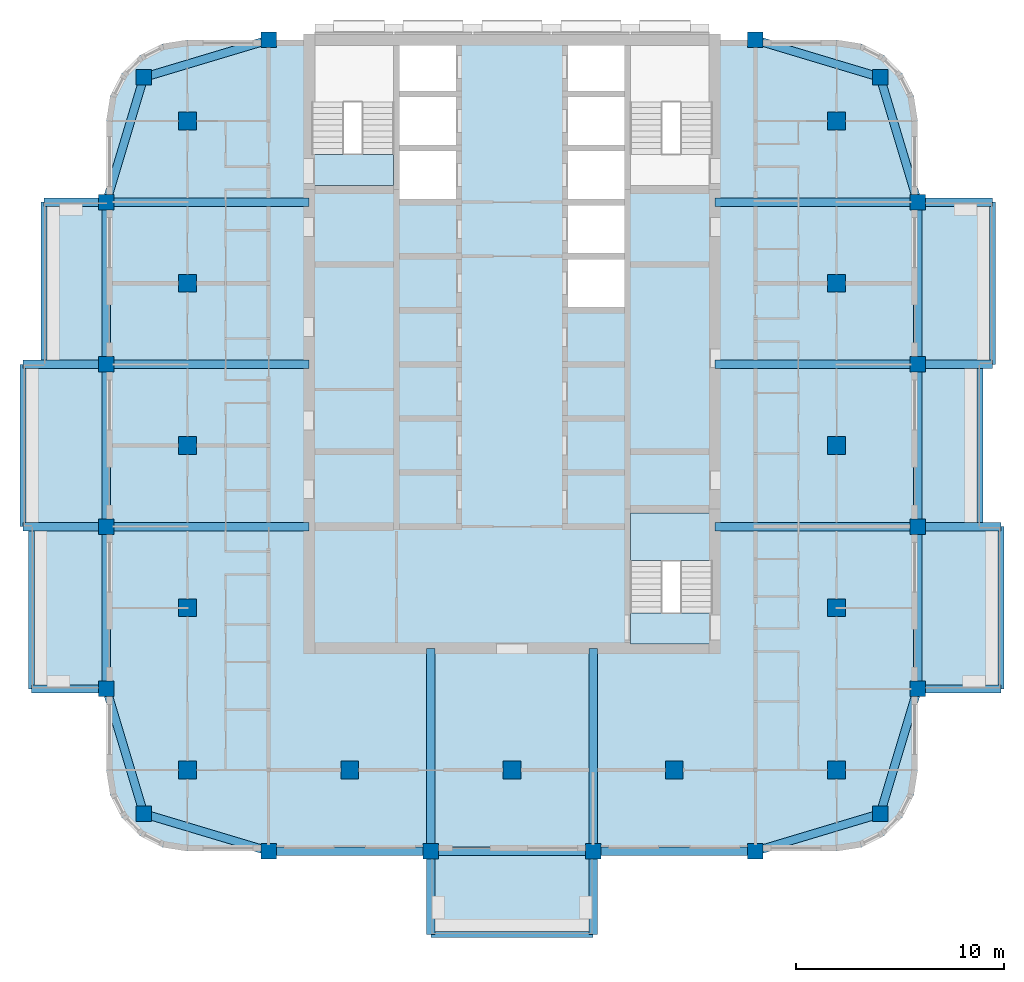
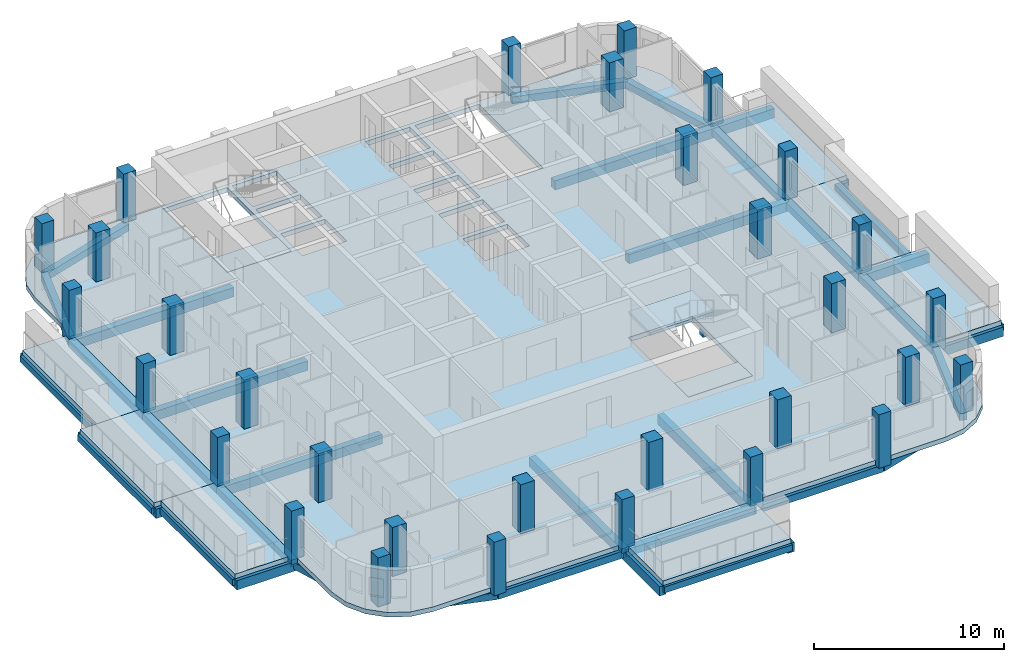
# One storey, part 1 of 13: 42 beams, 31 columns, 11 slabs, 2 elements without a shape of their own.
"""IFC4 building model written with IfcOpenShell, lengths in metres."""

from ifc_helpers import new_model, si_unit, direction, frame, origin, origin_2d, place, context, subcontext, project, spatial, polyline, rectangle, outline, extrude, material, layer, layer_set, material_profile, profile_set, type_object, element, aggregate, save


model = new_model("IFC4")

# Units and contexts
model_context = context("Model", 3, precision=1e-05, world=origin(), true_north=direction((0.0, 1.0)))
body_context = subcontext(model_context, "Body", "Model", "MODEL_VIEW")
ifc_project = project(units=[si_unit("LENGTHUNIT", "METRE"), si_unit("AREAUNIT", "SQUARE_METRE"), si_unit("VOLUMEUNIT", "CUBIC_METRE"), si_unit("PLANEANGLEUNIT", "RADIAN"), si_unit("MASSUNIT", "GRAM", prefix="KILO")], contexts=[model_context])

# Site, building, storey
site_placement = place(None, origin())
site = spatial("IfcSite", under=ifc_project, at=site_placement, CompositionType="ELEMENT")
building_placement = place(site_placement, origin())
building = spatial("IfcBuilding", under=site, at=building_placement, Name="Ludao Terraces", CompositionType="ELEMENT")
storey_placement = place(building_placement, frame((0.0, 0.0, 179.199951171875)))
storey = spatial("IfcBuildingStorey", under=building, at=storey_placement, Name="L48", CompositionType="ELEMENT", Elevation=179.199951171875)

# Columns
ifc_material_1 = material(Name="Concrete C45", Category="concrete")
ifc_material_profile_1 = material_profile(ifc_material_1, rectangle(XDim=0.75, YDim=0.75, at=origin_2d()), Name="750 X 750")
ifc_profile_set_1 = profile_set([ifc_material_profile_1], Name="Concrete C45")
column_type_1 = type_object("IfcColumnType", Name="RC column 750x750 C45", PredefinedType="COLUMN", material=ifc_profile_set_1)
for number, where, z_axis, x_axis, name in (
    (1, (67.300048828125, 47.300048828125, -0.300048828125), (0.0, 0.0, 1.0), (1.0, 0.0, 0.0), "Column L48 C0057x0057"),
    (2, (102.699951171875, 47.300048828125, -0.300048828125), (0.0, 0.0, 1.0), (1.0, 0.0, 0.0), "Column L48 C0411x0057"),
    (3, (67.300048828125, 82.699951171875, -0.300048828125), (0.0, 0.0, 1.0), (1.0, 0.0, 0.0), "Column L48 C0057x0411"),
    (4, (102.699951171875, 82.699951171875, -0.300048828125), (0.0, 0.0, 1.0), (1.0, 0.0, 0.0), "Column L48 C0411x0411"),
    (5, (65.5, 53.300048828125, -0.300048828125), (0.0, 0.0, 1.0), (1.0, 0.0, 0.0), "Column L48 W0039x0117"),
    (6, (104.5, 53.300048828125, -0.300048828125), (0.0, 0.0, 1.0), (1.0, 0.0, 0.0), "Column L48 W0429x0117"),
    (7, (73.300048828125, 45.5, -0.300048828125), (0.0, 0.0, 1.0), (1.0, 0.0, 0.0), "Column L48 W0117x0039"),
    (8, (73.300048828125, 84.5, -0.300048828125), (0.0, 0.0, 1.0), (1.0, 0.0, 0.0), "Column L48 W0117x0429"),
    (9, (65.5, 61.10009765625, -0.300048828125), (0.0, 0.0, 1.0), (1.0, 0.0, 0.0), "Column L48 W0039x0195"),
    (10, (104.5, 61.10009765625, -0.300048828125), (0.0, 0.0, 1.0), (1.0, 0.0, 0.0), "Column L48 W0429x0195"),
    (11, (81.10009765625, 45.5, -0.300048828125), (0.0, 0.0, 1.0), (1.0, 0.0, 0.0), "Column L48 W0195x0039"),
    (12, (65.5, 68.89990234375, -0.300048828125), (0.0, 0.0, 1.0), (1.0, 0.0, 0.0), "Column L48 W0039x0273"),
    (13, (104.5, 68.89990234375, -0.300048828125), (0.0, 0.0, 1.0), (1.0, 0.0, 0.0), "Column L48 W0429x0273"),
    (14, (88.89990234375, 45.5, -0.300048828125), (0.0, 0.0, 1.0), (1.0, 0.0, 0.0), "Column L48 W0273x0039"),
    (15, (65.5, 76.699951171875, -0.300048828125), (0.0, 0.0, 1.0), (1.0, 0.0, 0.0), "Column L48 W0039x0351"),
    (16, (104.5, 76.699951171875, -0.300048828125), (0.0, 0.0, 1.0), (1.0, 0.0, 0.0), "Column L48 W0429x0351"),
    (17, (96.699951171875, 45.5, -0.300048828125), (0.0, 0.0, 1.0), (1.0, 0.0, 0.0), "Column L48 W0351x0039"),
    (18, (96.699951171875, 84.5, -0.300048828125), (0.0, 0.0, 1.0), (1.0, 0.0, 0.0), "Column L48 W0351x0429"),
):
    element("IfcColumn", number, at=place(storey_placement, frame(where, z_axis=z_axis, x_axis=x_axis)), inside=storey, type_object=column_type_1, Name=name, PredefinedType="COLUMN", context=body_context, shape_type="SweptSolid", body=[
        extrude(rectangle(XDim=0.75, YDim=0.75, at=origin_2d()), origin(), (0.0, 0.0, 1.0), 3.4501953125),
    ])
ifc_material_profile_2 = material_profile(ifc_material_1, rectangle(XDim=0.85009765625, YDim=0.85009765625, at=origin_2d()), Name="850 X 850")
ifc_profile_set_2 = profile_set([ifc_material_profile_2], Name="Concrete C45")
column_type_2 = type_object("IfcColumnType", Name="RC column 850x850 C45", PredefinedType="COLUMN", material=ifc_profile_set_2)
for number, where, z_axis, x_axis, name in (
    (19, (69.39990234375, 49.39990234375, -0.300048828125), (0.0, 0.0, 1.0), (1.0, 0.0, 0.0), "Column L48 S0078x0078"),
    (20, (69.39990234375, 57.199951171875, -0.300048828125), (0.0, 0.0, 1.0), (1.0, 0.0, 0.0), "Column L48 S0078x0156"),
    (21, (69.39990234375, 65.0, -0.300048828125), (0.0, 0.0, 1.0), (1.0, 0.0, 0.0), "Column L48 S0078x0234"),
    (22, (69.39990234375, 72.800048828125, -0.300048828125), (0.0, 0.0, 1.0), (1.0, 0.0, 0.0), "Column L48 S0078x0312"),
    (23, (69.39990234375, 80.60009765625, -0.300048828125), (0.0, 0.0, 1.0), (1.0, 0.0, 0.0), "Column L48 S0078x0390"),
    (24, (77.199951171875, 49.39990234375, -0.300048828125), (0.0, 0.0, 1.0), (1.0, 0.0, 0.0), "Column L48 S0156x0078"),
    (25, (85.0, 49.39990234375, -0.300048828125), (0.0, 0.0, 1.0), (1.0, 0.0, 0.0), "Column L48 S0234x0078"),
    (26, (92.800048828125, 49.39990234375, -0.300048828125), (0.0, 0.0, 1.0), (1.0, 0.0, 0.0), "Column L48 S0312x0078"),
    (27, (100.60009765625, 49.39990234375, -0.300048828125), (0.0, 0.0, 1.0), (1.0, 0.0, 0.0), "Column L48 S0390x0078"),
    (28, (100.60009765625, 57.199951171875, -0.300048828125), (0.0, 0.0, 1.0), (1.0, 0.0, 0.0), "Column L48 S0390x0156"),
    (29, (100.60009765625, 65.0, -0.300048828125), (0.0, 0.0, 1.0), (1.0, 0.0, 0.0), "Column L48 S0390x0234"),
    (30, (100.60009765625, 72.800048828125, -0.300048828125), (0.0, 0.0, 1.0), (1.0, 0.0, 0.0), "Column L48 S0390x0312"),
    (31, (100.60009765625, 80.60009765625, -0.300048828125), (0.0, 0.0, 1.0), (1.0, 0.0, 0.0), "Column L48 S0390x0390"),
):
    element("IfcColumn", number, at=place(storey_placement, frame(where, z_axis=z_axis, x_axis=x_axis)), inside=storey, type_object=column_type_2, Name=name, PredefinedType="COLUMN", context=body_context, shape_type="SweptSolid", body=[
        extrude(rectangle(XDim=0.85009765625, YDim=0.85009765625, at=origin_2d()), origin(), (0.0, 0.0, 1.0), 3.4501953125),
    ])

# Beams
ifc_material_2 = material(Name="Concrete C40", Category="concrete")
ifc_material_profile_3 = material_profile(ifc_material_2, rectangle(XDim=0.300048828125, YDim=0.39990234375, at=origin_2d()), Name="300 X 400")
ifc_profile_set_3 = profile_set([ifc_material_profile_3], Name="Concrete C40")
beam_type_1 = type_object("IfcBeamType", Name="RC beam 300x400 C40", PredefinedType="BEAM", material=ifc_profile_set_3)
beam_1_placement = place(storey_placement, frame((81.10009765625, 41.5, -0.5), z_axis=(1.0, 0.0, 0.0), x_axis=(0.0, 1.0, 0.0)))
element("IfcBeam", 32, at=beam_1_placement, inside=storey, type_object=beam_type_1, Name="Balcony edge beam L48 S1", PredefinedType="BEAM", context=body_context, shape_type="SweptSolid", body=[
    extrude(rectangle(XDim=0.300048828125, YDim=0.39990234375, at=origin_2d()), origin(), (0.0, 0.0, 1.0), 7.7998046875),
])
beam_2_placement = place(storey_placement, frame((108.5, 53.300048828125, -0.5), z_axis=(0.0, 1.0, 0.0), x_axis=(-1.0, 0.0, 0.0)))
element("IfcBeam", 33, at=beam_2_placement, inside=storey, type_object=beam_type_1, Name="Balcony edge beam L48 E1", PredefinedType="BEAM", context=body_context, shape_type="SweptSolid", body=[
    extrude(rectangle(XDim=0.300048828125, YDim=0.39990234375, at=origin_2d()), origin(), (0.0, 0.0, 1.0), 7.800048828125),
])
beam_3_placement = place(storey_placement, frame((107.5, 61.10009765625, -0.5), z_axis=(0.0, 1.0, 0.0), x_axis=(-1.0, 0.0, 0.0)))
element("IfcBeam", 34, at=beam_3_placement, inside=storey, type_object=beam_type_1, Name="Balcony edge beam L48 E2", PredefinedType="BEAM", context=body_context, shape_type="SweptSolid", body=[
    extrude(rectangle(XDim=0.300048828125, YDim=0.39990234375, at=origin_2d()), origin(), (0.0, 0.0, 1.0), 7.7998046875),
])
for number, where, z_axis, x_axis, name in (
    (35, (108.10009765625, 68.89990234375, -0.5), (0.0, 1.0, 0.0), (-1.0, 0.0, 0.0), "Balcony edge beam L48 E3"),
    (36, (61.89990234375, 53.300048828125, -0.5), (0.0, 1.0, 0.0), (-1.0, 0.0, 0.0), "Balcony edge beam L48 W1"),
):
    element("IfcBeam", number, at=place(storey_placement, frame(where, z_axis=z_axis, x_axis=x_axis)), inside=storey, type_object=beam_type_1, Name=name, PredefinedType="BEAM", context=body_context, shape_type="SweptSolid", body=[
        extrude(rectangle(XDim=0.300048828125, YDim=0.39990234375, at=origin_2d()), origin(), (0.0, 0.0, 1.0), 7.800048828125),
    ])
beam_4_placement = place(storey_placement, frame((61.5, 61.10009765625, -0.5), z_axis=(0.0, 1.0, 0.0), x_axis=(-1.0, 0.0, 0.0)))
element("IfcBeam", 37, at=beam_4_placement, inside=storey, type_object=beam_type_1, Name="Balcony edge beam L48 W2", PredefinedType="BEAM", context=body_context, shape_type="SweptSolid", body=[
    extrude(rectangle(XDim=0.300048828125, YDim=0.39990234375, at=origin_2d()), origin(), (0.0, 0.0, 1.0), 7.7998046875),
])
beam_5_placement = place(storey_placement, frame((62.5, 68.89990234375, -0.5), z_axis=(0.0, 1.0, 0.0), x_axis=(-1.0, 0.0, 0.0)))
element("IfcBeam", 38, at=beam_5_placement, inside=storey, type_object=beam_type_1, Name="Balcony edge beam L48 W3", PredefinedType="BEAM", context=body_context, shape_type="SweptSolid", body=[
    extrude(rectangle(XDim=0.300048828125, YDim=0.39990234375, at=origin_2d()), origin(), (0.0, 0.0, 1.0), 7.800048828125),
])
ifc_material_profile_4 = material_profile(ifc_material_2, rectangle(XDim=0.39990234375, YDim=0.449951171875, at=origin_2d()), Name="400 X 450")
ifc_profile_set_4 = profile_set([ifc_material_profile_4], Name="Concrete C40")
beam_type_2 = type_object("IfcBeamType", Name="RC beam 400x450 C40", PredefinedType="BEAM", material=ifc_profile_set_4)
beam_6_placement = place(storey_placement, frame((67.300048828125, 47.300048828125, -0.52490234375), z_axis=(0.957824139839, -0.287355036744, 0.0), x_axis=(0.287355036744, 0.957824139839, 0.0)))
element("IfcBeam", 39, at=beam_6_placement, inside=storey, type_object=beam_type_2, Name="Spandrel beam L48 S1", PredefinedType="BEAM", context=body_context, shape_type="SweptSolid", body=[
    extrude(rectangle(XDim=0.39990234375, YDim=0.449951171875, at=origin_2d()), origin(), (0.0, 0.0, 1.0), 6.26416015625),
])
beam_7_placement = place(storey_placement, frame((73.300048828125, 45.5, -0.52490234375), z_axis=(1.0, 0.0, 0.0), x_axis=(0.0, 1.0, 0.0)))
element("IfcBeam", 40, at=beam_7_placement, inside=storey, type_object=beam_type_2, Name="Spandrel beam L48 S2", PredefinedType="BEAM", context=body_context, shape_type="SweptSolid", body=[
    extrude(rectangle(XDim=0.39990234375, YDim=0.449951171875, at=origin_2d()), origin(), (0.0, 0.0, 1.0), 7.800048828125),
])
beam_8_placement = place(storey_placement, frame((81.10009765625, 45.5, -0.52490234375), z_axis=(1.0, 0.0, 0.0), x_axis=(0.0, 1.0, 0.0)))
element("IfcBeam", 41, at=beam_8_placement, inside=storey, type_object=beam_type_2, Name="Spandrel beam L48 S3", PredefinedType="BEAM", context=body_context, shape_type="SweptSolid", body=[
    extrude(rectangle(XDim=0.39990234375, YDim=0.449951171875, at=origin_2d()), origin(), (0.0, 0.0, 1.0), 7.7998046875),
])
beam_9_placement = place(storey_placement, frame((88.89990234375, 45.5, -0.52490234375), z_axis=(1.0, 0.0, 0.0), x_axis=(0.0, 1.0, 0.0)))
element("IfcBeam", 42, at=beam_9_placement, inside=storey, type_object=beam_type_2, Name="Spandrel beam L48 S4", PredefinedType="BEAM", context=body_context, shape_type="SweptSolid", body=[
    extrude(rectangle(XDim=0.39990234375, YDim=0.449951171875, at=origin_2d()), origin(), (0.0, 0.0, 1.0), 7.800048828125),
])
for number, where, z_axis, x_axis, name in (
    (43, (96.699951171875, 45.5, -0.52490234375), (0.957824139839, 0.287355036744, 0.0), (-0.287355036744, 0.957824139839, 0.0), "Spandrel beam L48 S5"),
    (44, (67.300048828125, 82.699951171875, -0.52490234375), (0.957824139839, 0.287355036744, 0.0), (-0.287355036744, 0.957824139839, 0.0), "Spandrel beam L48 N6"),
    (45, (96.699951171875, 84.5, -0.52490234375), (0.957824139839, -0.287355036744, 0.0), (0.287355036744, 0.957824139839, 0.0), "Spandrel beam L48 N7"),
    (46, (67.300048828125, 47.300048828125, -0.52490234375), (-0.287355036744, 0.957824139839, 0.0), (-0.957824139839, -0.287355036744, 0.0), "Spandrel beam L48 W8"),
):
    element("IfcBeam", number, at=place(storey_placement, frame(where, z_axis=z_axis, x_axis=x_axis)), inside=storey, type_object=beam_type_2, Name=name, PredefinedType="BEAM", context=body_context, shape_type="SweptSolid", body=[
        extrude(rectangle(XDim=0.39990234375, YDim=0.449951171875, at=origin_2d()), origin(), (0.0, 0.0, 1.0), 6.26416015625),
    ])
beam_10_placement = place(storey_placement, frame((65.5, 53.300048828125, -0.52490234375), z_axis=(0.0, 1.0, 0.0), x_axis=(-1.0, 0.0, 0.0)))
element("IfcBeam", 47, at=beam_10_placement, inside=storey, type_object=beam_type_2, Name="Spandrel beam L48 W9", PredefinedType="BEAM", context=body_context, shape_type="SweptSolid", body=[
    extrude(rectangle(XDim=0.39990234375, YDim=0.449951171875, at=origin_2d()), origin(), (0.0, 0.0, 1.0), 7.800048828125),
])
beam_11_placement = place(storey_placement, frame((65.5, 61.10009765625, -0.52490234375), z_axis=(0.0, 1.0, 0.0), x_axis=(-1.0, 0.0, 0.0)))
element("IfcBeam", 48, at=beam_11_placement, inside=storey, type_object=beam_type_2, Name="Spandrel beam L48 W10", PredefinedType="BEAM", context=body_context, shape_type="SweptSolid", body=[
    extrude(rectangle(XDim=0.39990234375, YDim=0.449951171875, at=origin_2d()), origin(), (0.0, 0.0, 1.0), 7.7998046875),
])
beam_12_placement = place(storey_placement, frame((65.5, 68.89990234375, -0.52490234375), z_axis=(0.0, 1.0, 0.0), x_axis=(-1.0, 0.0, 0.0)))
element("IfcBeam", 49, at=beam_12_placement, inside=storey, type_object=beam_type_2, Name="Spandrel beam L48 W11", PredefinedType="BEAM", context=body_context, shape_type="SweptSolid", body=[
    extrude(rectangle(XDim=0.39990234375, YDim=0.449951171875, at=origin_2d()), origin(), (0.0, 0.0, 1.0), 7.800048828125),
])
for number, where, z_axis, x_axis, name in (
    (50, (65.5, 76.699951171875, -0.52490234375), (0.287355036744, 0.957824139839, 0.0), (-0.957824139839, 0.287355036744, 0.0), "Spandrel beam L48 W12"),
    (51, (102.699951171875, 47.300048828125, -0.52490234375), (0.287355036744, 0.957824139839, 0.0), (-0.957824139839, 0.287355036744, 0.0), "Spandrel beam L48 E13"),
):
    element("IfcBeam", number, at=place(storey_placement, frame(where, z_axis=z_axis, x_axis=x_axis)), inside=storey, type_object=beam_type_2, Name=name, PredefinedType="BEAM", context=body_context, shape_type="SweptSolid", body=[
        extrude(rectangle(XDim=0.39990234375, YDim=0.449951171875, at=origin_2d()), origin(), (0.0, 0.0, 1.0), 6.26416015625),
    ])
beam_13_placement = place(storey_placement, frame((104.5, 53.300048828125, -0.52490234375), z_axis=(0.0, 1.0, 0.0), x_axis=(-1.0, 0.0, 0.0)))
element("IfcBeam", 52, at=beam_13_placement, inside=storey, type_object=beam_type_2, Name="Spandrel beam L48 E14", PredefinedType="BEAM", context=body_context, shape_type="SweptSolid", body=[
    extrude(rectangle(XDim=0.39990234375, YDim=0.449951171875, at=origin_2d()), origin(), (0.0, 0.0, 1.0), 7.800048828125),
])
beam_14_placement = place(storey_placement, frame((104.5, 61.10009765625, -0.52490234375), z_axis=(0.0, 1.0, 0.0), x_axis=(-1.0, 0.0, 0.0)))
element("IfcBeam", 53, at=beam_14_placement, inside=storey, type_object=beam_type_2, Name="Spandrel beam L48 E15", PredefinedType="BEAM", context=body_context, shape_type="SweptSolid", body=[
    extrude(rectangle(XDim=0.39990234375, YDim=0.449951171875, at=origin_2d()), origin(), (0.0, 0.0, 1.0), 7.7998046875),
])
beam_15_placement = place(storey_placement, frame((104.5, 68.89990234375, -0.52490234375), z_axis=(0.0, 1.0, 0.0), x_axis=(-1.0, 0.0, 0.0)))
element("IfcBeam", 54, at=beam_15_placement, inside=storey, type_object=beam_type_2, Name="Spandrel beam L48 E16", PredefinedType="BEAM", context=body_context, shape_type="SweptSolid", body=[
    extrude(rectangle(XDim=0.39990234375, YDim=0.449951171875, at=origin_2d()), origin(), (0.0, 0.0, 1.0), 7.800048828125),
])
beam_16_placement = place(storey_placement, frame((104.5, 76.699951171875, -0.52490234375), z_axis=(-0.287355036744, 0.957824139839, 0.0), x_axis=(-0.957824139839, -0.287355036744, 0.0)))
element("IfcBeam", 55, at=beam_16_placement, inside=storey, type_object=beam_type_2, Name="Spandrel beam L48 E17", PredefinedType="BEAM", context=body_context, shape_type="SweptSolid", body=[
    extrude(rectangle(XDim=0.39990234375, YDim=0.449951171875, at=origin_2d()), origin(), (0.0, 0.0, 1.0), 6.26416015625),
])
ifc_material_profile_5 = material_profile(ifc_material_2, rectangle(XDim=0.39990234375, YDim=0.60009765625, at=origin_2d()), Name="400 X 600")
ifc_profile_set_5 = profile_set([ifc_material_profile_5], Name="Concrete C40")
beam_type_3 = type_object("IfcBeamType", Name="RC beam 400x600 C40", PredefinedType="BEAM", material=ifc_profile_set_5)
beam_17_placement = place(storey_placement, frame((104.5, 53.300048828125, -0.599853515625), z_axis=(1.0, 0.0, 0.0), x_axis=(0.0, 1.0, 0.0)))
element("IfcBeam", 56, at=beam_17_placement, inside=storey, type_object=beam_type_3, Name="Balcony beam L48 E533", PredefinedType="BEAM", context=body_context, shape_type="SweptSolid", body=[
    extrude(rectangle(XDim=0.39990234375, YDim=0.60009765625, at=origin_2d()), origin(), (0.0, 0.0, 1.0), 4.0),
])
beam_18_placement = place(storey_placement, frame((94.75, 61.10009765625, -0.599853515625), z_axis=(1.0, 0.0, 0.0), x_axis=(0.0, 1.0, 0.0)))
element("IfcBeam", 57, at=beam_18_placement, inside=storey, type_object=beam_type_3, Name="Balcony beam L48 E611", PredefinedType="BEAM", context=body_context, shape_type="SweptSolid", body=[
    extrude(rectangle(XDim=0.39990234375, YDim=0.60009765625, at=origin_2d()), origin(), (0.0, 0.0, 1.0), 9.75),
])
beam_19_placement = place(storey_placement, frame((104.5, 61.10009765625, -0.599853515625), z_axis=(1.0, 0.0, 0.0), x_axis=(0.0, 1.0, 0.0)))
element("IfcBeam", 58, at=beam_19_placement, inside=storey, type_object=beam_type_3, Name="Balcony beam L48 E611", PredefinedType="BEAM", context=body_context, shape_type="SweptSolid", body=[
    extrude(rectangle(XDim=0.39990234375, YDim=0.60009765625, at=origin_2d()), origin(), (0.0, 0.0, 1.0), 4.0),
])
beam_20_placement = place(storey_placement, frame((94.75, 68.89990234375, -0.599853515625), z_axis=(1.0, 0.0, 0.0), x_axis=(0.0, 1.0, 0.0)))
element("IfcBeam", 59, at=beam_20_placement, inside=storey, type_object=beam_type_3, Name="Balcony beam L48 E689", PredefinedType="BEAM", context=body_context, shape_type="SweptSolid", body=[
    extrude(rectangle(XDim=0.39990234375, YDim=0.60009765625, at=origin_2d()), origin(), (0.0, 0.0, 1.0), 9.75),
])
beam_21_placement = place(storey_placement, frame((104.5, 68.89990234375, -0.599853515625), z_axis=(1.0, 0.0, 0.0), x_axis=(0.0, 1.0, 0.0)))
element("IfcBeam", 60, at=beam_21_placement, inside=storey, type_object=beam_type_3, Name="Balcony beam L48 E689", PredefinedType="BEAM", context=body_context, shape_type="SweptSolid", body=[
    extrude(rectangle(XDim=0.39990234375, YDim=0.60009765625, at=origin_2d()), origin(), (0.0, 0.0, 1.0), 3.60009765625),
])
beam_22_placement = place(storey_placement, frame((94.75, 76.699951171875, -0.599853515625), z_axis=(1.0, 0.0, 0.0), x_axis=(0.0, 1.0, 0.0)))
element("IfcBeam", 61, at=beam_22_placement, inside=storey, type_object=beam_type_3, Name="Balcony beam L48 E767", PredefinedType="BEAM", context=body_context, shape_type="SweptSolid", body=[
    extrude(rectangle(XDim=0.39990234375, YDim=0.60009765625, at=origin_2d()), origin(), (0.0, 0.0, 1.0), 9.75),
])
beam_23_placement = place(storey_placement, frame((104.5, 76.699951171875, -0.599853515625), z_axis=(1.0, 0.0, 0.0), x_axis=(0.0, 1.0, 0.0)))
element("IfcBeam", 62, at=beam_23_placement, inside=storey, type_object=beam_type_3, Name="Balcony beam L48 E767", PredefinedType="BEAM", context=body_context, shape_type="SweptSolid", body=[
    extrude(rectangle(XDim=0.39990234375, YDim=0.60009765625, at=origin_2d()), origin(), (0.0, 0.0, 1.0), 3.60009765625),
])
beam_24_placement = place(storey_placement, frame((81.10009765625, 55.25, -0.599853515625), z_axis=(0.0, -1.0, 0.0), x_axis=(1.0, 0.0, 0.0)))
element("IfcBeam", 63, at=beam_24_placement, inside=storey, type_object=beam_type_3, Name="Balcony beam L48 S811", PredefinedType="BEAM", context=body_context, shape_type="SweptSolid", body=[
    extrude(rectangle(XDim=0.39990234375, YDim=0.60009765625, at=origin_2d()), origin(), (0.0, 0.0, 1.0), 9.75),
])
beam_25_placement = place(storey_placement, frame((81.10009765625, 45.5, -0.599853515625), z_axis=(0.0, -1.0, 0.0), x_axis=(1.0, 0.0, 0.0)))
element("IfcBeam", 64, at=beam_25_placement, inside=storey, type_object=beam_type_3, Name="Balcony beam L48 S811", PredefinedType="BEAM", context=body_context, shape_type="SweptSolid", body=[
    extrude(rectangle(XDim=0.39990234375, YDim=0.60009765625, at=origin_2d()), origin(), (0.0, 0.0, 1.0), 4.0),
])
beam_26_placement = place(storey_placement, frame((88.89990234375, 55.25, -0.599853515625), z_axis=(0.0, -1.0, 0.0), x_axis=(1.0, 0.0, 0.0)))
element("IfcBeam", 65, at=beam_26_placement, inside=storey, type_object=beam_type_3, Name="Balcony beam L48 S889", PredefinedType="BEAM", context=body_context, shape_type="SweptSolid", body=[
    extrude(rectangle(XDim=0.39990234375, YDim=0.60009765625, at=origin_2d()), origin(), (0.0, 0.0, 1.0), 9.75),
])
beam_27_placement = place(storey_placement, frame((88.89990234375, 45.5, -0.599853515625), z_axis=(0.0, -1.0, 0.0), x_axis=(1.0, 0.0, 0.0)))
element("IfcBeam", 66, at=beam_27_placement, inside=storey, type_object=beam_type_3, Name="Balcony beam L48 S889", PredefinedType="BEAM", context=body_context, shape_type="SweptSolid", body=[
    extrude(rectangle(XDim=0.39990234375, YDim=0.60009765625, at=origin_2d()), origin(), (0.0, 0.0, 1.0), 4.0),
])
beam_28_placement = place(storey_placement, frame((65.5, 53.300048828125, -0.599853515625), z_axis=(-1.0, 0.0, 0.0), x_axis=(0.0, -1.0, 0.0)))
element("IfcBeam", 67, at=beam_28_placement, inside=storey, type_object=beam_type_3, Name="Balcony beam L48 W533", PredefinedType="BEAM", context=body_context, shape_type="SweptSolid", body=[
    extrude(rectangle(XDim=0.39990234375, YDim=0.60009765625, at=origin_2d()), origin(), (0.0, 0.0, 1.0), 3.60009765625),
])
beam_29_placement = place(storey_placement, frame((75.25, 61.10009765625, -0.599853515625), z_axis=(-1.0, 0.0, 0.0), x_axis=(0.0, -1.0, 0.0)))
element("IfcBeam", 68, at=beam_29_placement, inside=storey, type_object=beam_type_3, Name="Balcony beam L48 W611", PredefinedType="BEAM", context=body_context, shape_type="SweptSolid", body=[
    extrude(rectangle(XDim=0.39990234375, YDim=0.60009765625, at=origin_2d()), origin(), (0.0, 0.0, 1.0), 9.75),
])
beam_30_placement = place(storey_placement, frame((65.5, 61.10009765625, -0.599853515625), z_axis=(-1.0, 0.0, 0.0), x_axis=(0.0, -1.0, 0.0)))
element("IfcBeam", 69, at=beam_30_placement, inside=storey, type_object=beam_type_3, Name="Balcony beam L48 W611", PredefinedType="BEAM", context=body_context, shape_type="SweptSolid", body=[
    extrude(rectangle(XDim=0.39990234375, YDim=0.60009765625, at=origin_2d()), origin(), (0.0, 0.0, 1.0), 4.0),
])
beam_31_placement = place(storey_placement, frame((75.25, 68.89990234375, -0.599853515625), z_axis=(-1.0, 0.0, 0.0), x_axis=(0.0, -1.0, 0.0)))
element("IfcBeam", 70, at=beam_31_placement, inside=storey, type_object=beam_type_3, Name="Balcony beam L48 W689", PredefinedType="BEAM", context=body_context, shape_type="SweptSolid", body=[
    extrude(rectangle(XDim=0.39990234375, YDim=0.60009765625, at=origin_2d()), origin(), (0.0, 0.0, 1.0), 9.75),
])
beam_32_placement = place(storey_placement, frame((65.5, 68.89990234375, -0.599853515625), z_axis=(-1.0, 0.0, 0.0), x_axis=(0.0, -1.0, 0.0)))
element("IfcBeam", 71, at=beam_32_placement, inside=storey, type_object=beam_type_3, Name="Balcony beam L48 W689", PredefinedType="BEAM", context=body_context, shape_type="SweptSolid", body=[
    extrude(rectangle(XDim=0.39990234375, YDim=0.60009765625, at=origin_2d()), origin(), (0.0, 0.0, 1.0), 4.0),
])
beam_33_placement = place(storey_placement, frame((75.25, 76.699951171875, -0.599853515625), z_axis=(-1.0, 0.0, 0.0), x_axis=(0.0, -1.0, 0.0)))
element("IfcBeam", 72, at=beam_33_placement, inside=storey, type_object=beam_type_3, Name="Balcony beam L48 W767", PredefinedType="BEAM", context=body_context, shape_type="SweptSolid", body=[
    extrude(rectangle(XDim=0.39990234375, YDim=0.60009765625, at=origin_2d()), origin(), (0.0, 0.0, 1.0), 9.75),
])
beam_34_placement = place(storey_placement, frame((65.5, 76.699951171875, -0.599853515625), z_axis=(-1.0, 0.0, 0.0), x_axis=(0.0, -1.0, 0.0)))
element("IfcBeam", 73, at=beam_34_placement, inside=storey, type_object=beam_type_3, Name="Balcony beam L48 W767", PredefinedType="BEAM", context=body_context, shape_type="SweptSolid", body=[
    extrude(rectangle(XDim=0.39990234375, YDim=0.60009765625, at=origin_2d()), origin(), (0.0, 0.0, 1.0), 3.0),
])

# Slabs
ifc_layer_1 = layer(ifc_material_2, 0.300048828125)
ifc_layer_set_1 = layer_set([ifc_layer_1], Name="Balcony slab 300 C40")
slab_type_1 = type_object("IfcSlabType", Name="Balcony slab 300 C40", PredefinedType="USERDEFINED", material=ifc_layer_set_1)
slab_1_placement = place(storey_placement, frame((0.0, 0.0, -0.300048828125)))
element("IfcSlab", 74, at=slab_1_placement, inside=storey, type_object=slab_type_1, Name="Balcony L48 S1", ObjectType="BALCONY", PredefinedType="USERDEFINED", context=body_context, shape_type="SweptSolid", body=[
    extrude(outline(polyline([(81.10009765625, 41.5), (88.89990234375, 41.5), (88.89990234375, 45.5), (81.10009765625, 45.5), (81.10009765625, 41.5)])), origin(), (0.0, 0.0, 1.0), 0.300048828125),
])
slab_2_placement = place(storey_placement, frame((0.0, 0.0, -0.300048828125)))
element("IfcSlab", 75, at=slab_2_placement, inside=storey, type_object=slab_type_1, Name="Balcony L48 E1", ObjectType="BALCONY", PredefinedType="USERDEFINED", context=body_context, shape_type="SweptSolid", body=[
    extrude(outline(polyline([(104.5, 53.300048828125), (108.5, 53.300048828125), (108.5, 61.10009765625), (104.5, 61.10009765625), (104.5, 53.300048828125)])), origin(), (0.0, 0.0, 1.0), 0.300048828125),
])
slab_3_placement = place(storey_placement, frame((0.0, 0.0, -0.300048828125)))
element("IfcSlab", 76, at=slab_3_placement, inside=storey, type_object=slab_type_1, Name="Balcony L48 E2", ObjectType="BALCONY", PredefinedType="USERDEFINED", context=body_context, shape_type="SweptSolid", body=[
    extrude(outline(polyline([(104.5, 61.10009765625), (107.5, 61.10009765625), (107.5, 68.89990234375), (104.5, 68.89990234375), (104.5, 61.10009765625)])), origin(), (0.0, 0.0, 1.0), 0.300048828125),
])
slab_4_placement = place(storey_placement, frame((0.0, 0.0, -0.300048828125)))
element("IfcSlab", 77, at=slab_4_placement, inside=storey, type_object=slab_type_1, Name="Balcony L48 E3", ObjectType="BALCONY", PredefinedType="USERDEFINED", context=body_context, shape_type="SweptSolid", body=[
    extrude(outline(polyline([(104.5, 68.89990234375), (108.10009765625, 68.89990234375), (108.10009765625, 76.699951171875), (104.5, 76.699951171875), (104.5, 68.89990234375)])), origin(), (0.0, 0.0, 1.0), 0.300048828125),
])
slab_5_placement = place(storey_placement, frame((0.0, 0.0, -0.300048828125)))
element("IfcSlab", 78, at=slab_5_placement, inside=storey, type_object=slab_type_1, Name="Balcony L48 W1", ObjectType="BALCONY", PredefinedType="USERDEFINED", context=body_context, shape_type="SweptSolid", body=[
    extrude(outline(polyline([(61.89990234375, 53.300048828125), (65.5, 53.300048828125), (65.5, 61.10009765625), (61.89990234375, 61.10009765625), (61.89990234375, 53.300048828125)])), origin(), (0.0, 0.0, 1.0), 0.300048828125),
])
slab_6_placement = place(storey_placement, frame((0.0, 0.0, -0.300048828125)))
element("IfcSlab", 79, at=slab_6_placement, inside=storey, type_object=slab_type_1, Name="Balcony L48 W2", ObjectType="BALCONY", PredefinedType="USERDEFINED", context=body_context, shape_type="SweptSolid", body=[
    extrude(outline(polyline([(61.5, 61.10009765625), (65.5, 61.10009765625), (65.5, 68.89990234375), (61.5, 68.89990234375), (61.5, 61.10009765625)])), origin(), (0.0, 0.0, 1.0), 0.300048828125),
])
slab_7_placement = place(storey_placement, frame((0.0, 0.0, -0.300048828125)))
element("IfcSlab", 80, at=slab_7_placement, inside=storey, type_object=slab_type_1, Name="Balcony L48 W3", ObjectType="BALCONY", PredefinedType="USERDEFINED", context=body_context, shape_type="SweptSolid", body=[
    extrude(outline(polyline([(62.5, 68.89990234375), (65.5, 68.89990234375), (65.5, 76.699951171875), (62.5, 76.699951171875), (62.5, 68.89990234375)])), origin(), (0.0, 0.0, 1.0), 0.300048828125),
])
ifc_layer_2 = layer(ifc_material_2, 0.300048828125)
ifc_layer_set_2 = layer_set([ifc_layer_2], Name="Floor slab 300 C40")
slab_type_2 = type_object("IfcSlabType", Name="Floor slab 300 C40", PredefinedType="FLOOR", material=ifc_layer_set_2)
slab_8_placement = place(storey_placement, frame((0.0, 0.0, -0.300048828125)))
element("IfcSlab", 81, at=slab_8_placement, inside=storey, type_object=slab_type_2, Name="Slab L48", PredefinedType="FLOOR", context=body_context, shape_type="SweptSolid", body=[
    extrude(outline(polyline([(100.60009765625, 45.5), (101.80517578125, 45.69091796875), (102.892333984375, 46.244873046875), (103.755126953125, 47.107666015625), (104.30908203125, 48.19482421875), (104.5, 49.39990234375), (104.5, 80.60009765625), (104.30908203125, 81.80517578125), (103.755126953125, 82.892333984375), (102.892333984375, 83.755126953125), (101.80517578125, 84.30908203125), (100.60009765625, 84.5), (69.39990234375, 84.5), (68.19482421875, 84.30908203125), (67.107666015625, 83.755126953125), (66.244873046875, 82.892333984375), (65.69091796875, 81.80517578125), (65.5, 80.60009765625), (65.5, 49.39990234375), (65.69091796875, 48.19482421875), (66.244873046875, 47.107666015625), (67.107666015625, 46.244873046875), (68.19482421875, 45.69091796875), (69.39990234375, 45.5), (100.60009765625, 45.5)]), holes=[polyline([(79.60009765625, 76.85009765625), (82.300048828125, 76.85009765625), (82.300048828125, 79.14990234375), (79.60009765625, 79.14990234375), (79.60009765625, 76.85009765625)]), polyline([(79.60009765625, 79.449951171875), (82.300048828125, 79.449951171875), (82.300048828125, 81.75), (79.60009765625, 81.75), (79.60009765625, 79.449951171875)]), polyline([(79.60009765625, 82.050048828125), (82.300048828125, 82.050048828125), (82.300048828125, 84.239990234375), (79.60009765625, 84.239990234375), (79.60009765625, 82.050048828125)]), polyline([(87.699951171875, 71.64990234375), (90.39990234375, 71.64990234375), (90.39990234375, 73.949951171875), (87.699951171875, 73.949951171875), (87.699951171875, 71.64990234375)]), polyline([(87.699951171875, 74.25), (90.39990234375, 74.25), (90.39990234375, 76.550048828125), (87.699951171875, 76.550048828125), (87.699951171875, 74.25)]), polyline([(87.699951171875, 76.85009765625), (90.39990234375, 76.85009765625), (90.39990234375, 79.14990234375), (87.699951171875, 79.14990234375), (87.699951171875, 76.85009765625)]), polyline([(87.699951171875, 79.449951171875), (90.39990234375, 79.449951171875), (90.39990234375, 81.75), (87.699951171875, 81.75), (87.699951171875, 79.449951171875)]), polyline([(87.699951171875, 82.050048828125), (90.39990234375, 82.050048828125), (90.39990234375, 84.239990234375), (87.699951171875, 84.239990234375), (87.699951171875, 82.050048828125)]), polyline([(75.39990234375, 77.5), (79.300048828125, 77.5), (79.300048828125, 84.239990234375), (75.39990234375, 84.239990234375), (75.39990234375, 77.5)]), polyline([(90.699951171875, 77.5), (94.60009765625, 77.5), (94.60009765625, 84.239990234375), (90.699951171875, 84.239990234375), (90.699951171875, 77.5)]), polyline([(90.699951171875, 55.449951171875), (94.60009765625, 55.449951171875), (94.60009765625, 61.75), (90.699951171875, 61.75), (90.699951171875, 55.449951171875)])]), origin(), (0.0, 0.0, 1.0), 0.300048828125),
])

# Stair, slab
stair_type = type_object("IfcStairType", Name="INT Stair", PredefinedType="HALF_TURN_STAIR", material=ifc_material_2)
stair_1_placement = place(storey_placement, origin())
stair_1 = element("IfcStair", 82, at=stair_1_placement, inside=storey, type_object=stair_type, Name="EXIT STAIR 1", PredefinedType="HALF_TURN_STAIR")
ifc_layer_3 = layer(ifc_material_2, 0.199951171875)
ifc_layer_set_3 = layer_set([ifc_layer_3], Name="INT Stair landing 200")
slab_type_3 = type_object("IfcSlabType", Name="INT Stair landing 200", PredefinedType="LANDING", material=ifc_layer_set_3)
slab_9_placement = place(storey_placement, frame((0.0, 0.0, -0.199951171875)))
slab_9 = element("IfcSlab", 83, at=slab_9_placement, type_object=slab_type_3, Name="ST1 landing 2", PredefinedType="LANDING", context=body_context, shape_type="SweptSolid", body=[
    extrude(outline(polyline([(75.39990234375, 77.5), (79.300048828125, 77.5), (79.300048828125, 79.0), (75.39990234375, 79.0), (75.39990234375, 77.5)])), origin(), (0.0, 0.0, 1.0), 0.199951171875),
])
aggregate(stair_1, [slab_9])

# Stair, slabs
stair_2_placement = place(storey_placement, origin())
stair_2 = element("IfcStair", 84, at=stair_2_placement, inside=storey, type_object=stair_type, Name="EXIT STAIR 3", PredefinedType="HALF_TURN_STAIR")
slab_10_placement = place(storey_placement, frame((0.0, 0.0, 1.5)))
slab_10 = element("IfcSlab", 85, at=slab_10_placement, type_object=slab_type_3, Name="ST3 landing 1", PredefinedType="LANDING", context=body_context, shape_type="SweptSolid", body=[
    extrude(outline(polyline([(90.699951171875, 59.469970703125), (94.60009765625, 59.469970703125), (94.60009765625, 61.75), (90.699951171875, 61.75), (90.699951171875, 59.469970703125)])), origin(), (0.0, 0.0, 1.0), 0.199951171875),
])
slab_11_placement = place(storey_placement, frame((0.0, 0.0, -0.199951171875)))
slab_11 = element("IfcSlab", 86, at=slab_11_placement, type_object=slab_type_3, Name="ST3 landing 2", PredefinedType="LANDING", context=body_context, shape_type="SweptSolid", body=[
    extrude(outline(polyline([(90.699951171875, 55.449951171875), (94.60009765625, 55.449951171875), (94.60009765625, 56.949951171875), (90.699951171875, 56.949951171875), (90.699951171875, 55.449951171875)])), origin(), (0.0, 0.0, 1.0), 0.199951171875),
])
aggregate(stair_2, [slab_10, slab_11])

save(model, "model.ifc")
